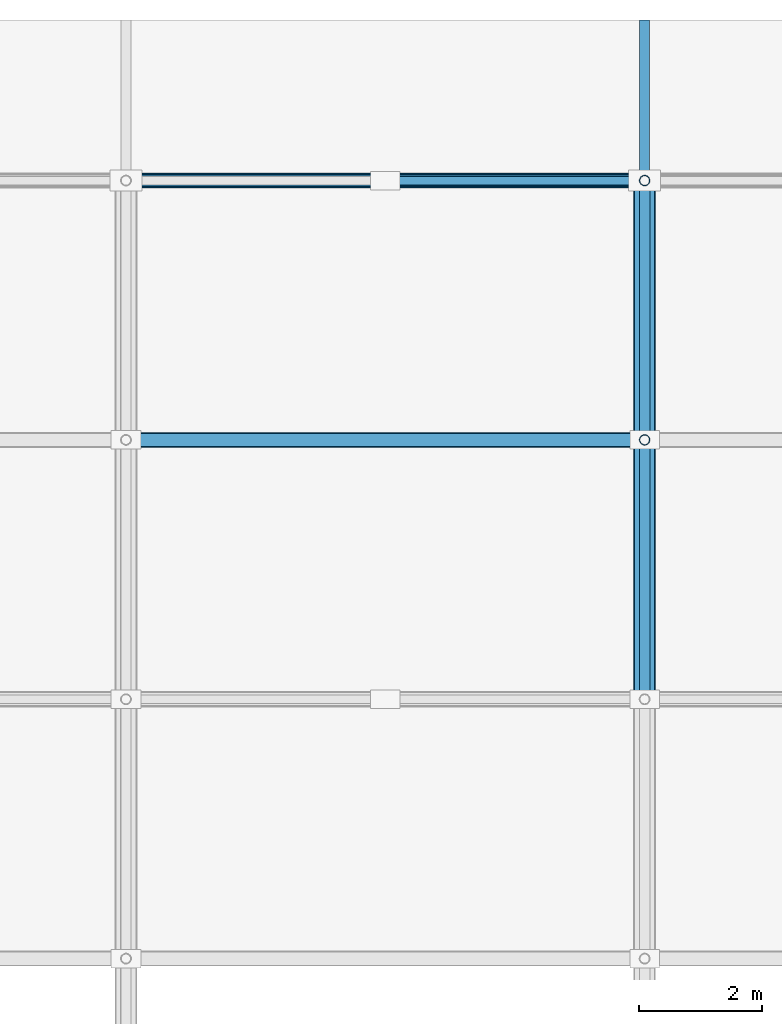
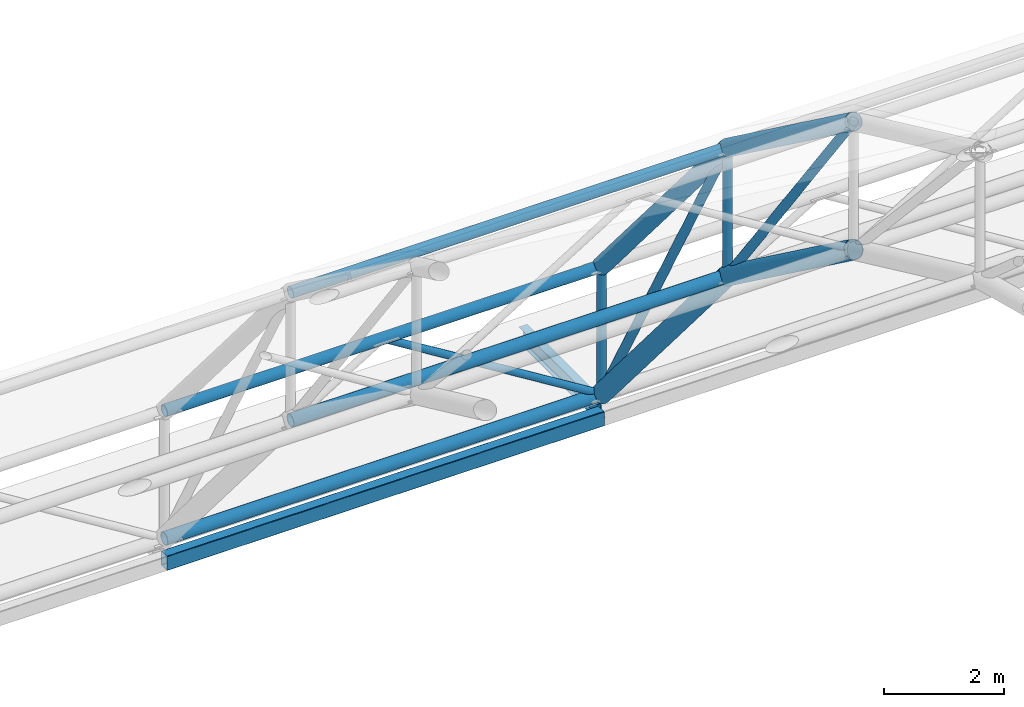
# One storey, part 49 of 103: 9 members, 6 beams.
"""IFC4 building model written with IfcOpenShell, lengths in metres."""

from ifc_helpers import new_model, si_unit, direction, frame, origin, origin_2d, place, context, subcontext, project, spatial, hollow_rectangle, hollow_circle, i_section, extrude, material, material_profile, profile_set, type_object, element, save


model = new_model("IFC4")

# Units and contexts
model_context = context("Model", 3, precision=1e-05, world=origin(), true_north=direction((0.0, 1.0)))
body_context = subcontext(model_context, "Body", "Model", "MODEL_VIEW")
ifc_project = project(units=[si_unit("LENGTHUNIT", "METRE"), si_unit("AREAUNIT", "SQUARE_METRE"), si_unit("VOLUMEUNIT", "CUBIC_METRE"), si_unit("PLANEANGLEUNIT", "RADIAN"), si_unit("MASSUNIT", "GRAM", prefix="KILO")], contexts=[model_context])

# Site, building, storey
site_placement = place(None, origin())
site = spatial("IfcSite", under=ifc_project, at=site_placement, CompositionType="ELEMENT")
building_placement = place(site_placement, origin())
building = spatial("IfcBuilding", under=site, at=building_placement, Name="Varnapada Polytechnic", CompositionType="ELEMENT")
storey_placement = place(building_placement, frame((0.0, 0.0, 18.0)))
storey = spatial("IfcBuildingStorey", under=building, at=storey_placement, Name="L04", CompositionType="ELEMENT", Elevation=18.0)

# Beam
ifc_material = material(Name="Steel S355", Category="steel")
ifc_material_profile_1 = material_profile(ifc_material, i_section(OverallWidth=0.159912109375, OverallDepth=0.330078125, WebThickness=0.007568359375, FlangeThickness=0.011474609375, FilletRadius=0.01806640625, at=origin_2d()), Name="IPE 330")
ifc_profile_set_1 = profile_set([ifc_material_profile_1], Name="Steel S355")
beam_type_1 = type_object("IfcBeamType", Name="Clerestory monitor steel rafter SB-07 (IPE 330)", PredefinedType="BEAM", material=ifc_profile_set_1)
beam_1_placement = place(storey_placement, frame((109.199951171875, 126.0, -0.35009765625), z_axis=(0.0, 1.0, 0.0), x_axis=(-1.0, 0.0, 0.0)))
element("IfcBeam", 1, at=beam_1_placement, inside=storey, type_object=beam_type_1, Name="Workshop eave shade outlooker N.8", PredefinedType="BEAM", context=body_context, shape_type="SweptSolid", body=[
    extrude(i_section(OverallWidth=0.159912109375, OverallDepth=0.330078125, WebThickness=0.007568359375, FlangeThickness=0.011474609375, FilletRadius=0.01806640625, at=origin_2d()), origin(), (0.0, 0.0, 1.0), 2.60009765625),
])

# Members
ifc_material_profile_2 = material_profile(ifc_material, hollow_circle(Radius=0.122314453125, WallThickness=0.008056640625, at=origin_2d()), Name="CHS 244.5x8.0")
ifc_profile_set_2 = profile_set([ifc_material_profile_2], Name="Steel S355")
member_type_1 = type_object("IfcMemberType", Name="Vaulted space frame longitudinal bottom chord SFC-01 (CHS 244.5x8.0)", PredefinedType="CHORD", material=ifc_profile_set_2)
for number, where, z_axis, x_axis, name in (
    (2, (100.800048828125, 121.800048828125, 4.94921875), (1.0, 0.0, 0.0), (0.0, 1.0, 0.0), "Vaulted space frame longitudinal bottom chord 7.10"),
    (3, (100.800048828125, 126.0, 0.0), (1.0, 0.0, 0.0), (0.0, 1.0, 0.0), "Vaulted space frame longitudinal bottom chord 7.11"),
):
    element("IfcMember", number, at=place(storey_placement, frame(where, z_axis=z_axis, x_axis=x_axis)), inside=storey, type_object=member_type_1, Name=name, PredefinedType="CHORD", context=body_context, shape_type="SweptSolid", body=[
        extrude(hollow_circle(Radius=0.122314453125, WallThickness=0.008056640625, at=origin_2d()), origin(), (0.0, 0.0, 1.0), 8.39990234375),
    ])
ifc_material_profile_3 = material_profile(ifc_material, hollow_circle(Radius=0.109619140625, WallThickness=0.008056640625, at=origin_2d()), Name="CHS 219.1x8.0")
ifc_profile_set_3 = profile_set([ifc_material_profile_3], Name="Steel S355")
member_type_2 = type_object("IfcMemberType", Name="Vaulted space frame longitudinal top chord SFC-02 (CHS 219.1x8.0)", PredefinedType="CHORD", material=ifc_profile_set_3)
for number, where, z_axis, x_axis, name in (
    (4, (100.800048828125, 121.800048828125, 7.549072265625), (1.0, 0.0, 0.0), (0.0, 1.0, 0.0), "Vaulted space frame longitudinal top chord 7.10"),
    (5, (100.800048828125, 126.0, 2.60009765625), (1.0, 0.0, 0.0), (0.0, 1.0, 0.0), "Vaulted space frame longitudinal top chord 7.11"),
):
    element("IfcMember", number, at=place(storey_placement, frame(where, z_axis=z_axis, x_axis=x_axis)), inside=storey, type_object=member_type_2, Name=name, PredefinedType="CHORD", context=body_context, shape_type="SweptSolid", body=[
        extrude(hollow_circle(Radius=0.109619140625, WallThickness=0.008056640625, at=origin_2d()), origin(), (0.0, 0.0, 1.0), 8.39990234375),
    ])

# Beams
ifc_material_profile_4 = material_profile(ifc_material, hollow_circle(Radius=0.177734375, WallThickness=0.012451171875, at=origin_2d()), Name="CHS 355.6x12.5")
ifc_profile_set_4 = profile_set([ifc_material_profile_4], Name="Steel S355")
beam_type_2 = type_object("IfcBeamType", Name="Vaulted space frame primary arch rib VA-01 (CHS 355.6x12.5)", PredefinedType="BEAM", material=ifc_profile_set_4)
beam_2_placement = place(storey_placement, frame((109.199951171875, 117.60009765625, 8.02783203125), z_axis=(0.0, 0.806528689778, -0.591194953095), x_axis=(-1.0, 0.0, 0.0)))
element("IfcBeam", 6, at=beam_2_placement, inside=storey, type_object=beam_type_2, Name="Vaulted space frame bottom arch chord 8.9", PredefinedType="BEAM", context=body_context, shape_type="SweptSolid", body=[
    extrude(hollow_circle(Radius=0.177734375, WallThickness=0.012451171875, at=origin_2d()), origin(), (0.0, 0.0, 1.0), 5.20751953125),
])
beam_3_placement = place(storey_placement, frame((109.199951171875, 121.800048828125, 4.94921875), z_axis=(0.0, 0.647032448214, -0.762462465279), x_axis=(-1.0, 0.0, 0.0)))
element("IfcBeam", 7, at=beam_3_placement, inside=storey, type_object=beam_type_2, Name="Vaulted space frame bottom arch chord 8.10", PredefinedType="BEAM", context=body_context, shape_type="SweptSolid", body=[
    extrude(hollow_circle(Radius=0.177734375, WallThickness=0.012451171875, at=origin_2d()), origin(), (0.0, 0.0, 1.0), 6.4912109375),
])

# Members
ifc_material_profile_5 = material_profile(ifc_material, hollow_circle(Radius=0.084228515625, WallThickness=0.00634765625, at=origin_2d()), Name="CHS 168.3x6.3")
ifc_profile_set_5 = profile_set([ifc_material_profile_5], Name="Steel S355")
member_type_3 = type_object("IfcMemberType", Name="Vaulted space frame primary web diagonal SFB-01 (CHS 168.3x6.3)", PredefinedType="BRACE", material=ifc_profile_set_5)
member_1_placement = place(storey_placement, frame((109.199951171875, 117.60009765625, 10.6279296875), z_axis=(0.0, 0.594633036041, -0.803997234105), x_axis=(-1.0, 0.0, 0.0)))
element("IfcMember", 8, at=member_1_placement, inside=storey, type_object=member_type_3, Name="Vaulted space frame web diagonal 8.9", PredefinedType="BRACE", context=body_context, shape_type="SweptSolid", body=[
    extrude(hollow_circle(Radius=0.084228515625, WallThickness=0.00634765625, at=origin_2d()), origin(), (0.0, 0.0, 1.0), 7.06298828125),
])
member_2_placement = place(storey_placement, frame((109.199951171875, 121.800048828125, 7.549072265625), z_axis=(0.0, 0.486175535898, -0.873861172209), x_axis=(-1.0, 0.0, 0.0)))
element("IfcMember", 9, at=member_2_placement, inside=storey, type_object=member_type_3, Name="Vaulted space frame web diagonal 8.10", PredefinedType="BRACE", context=body_context, shape_type="SweptSolid", body=[
    extrude(hollow_circle(Radius=0.084228515625, WallThickness=0.00634765625, at=origin_2d()), origin(), (0.0, 0.0, 1.0), 8.638671875),
])
ifc_material_profile_6 = material_profile(ifc_material, hollow_circle(Radius=0.084228515625, WallThickness=0.00634765625, at=origin_2d()), Name="CHS 168.3x6.3")
ifc_profile_set_6 = profile_set([ifc_material_profile_6], Name="Steel S355")
member_type_4 = type_object("IfcMemberType", Name="Vaulted space frame radial web strut SFS-01 (CHS 168.3x6.3)", PredefinedType="STRUT", material=ifc_profile_set_6)
member_3_placement = place(storey_placement, frame((109.199951171875, 121.800048828125, 4.94921875), z_axis=(0.0, 0.0, 1.0), x_axis=(1.0, 0.0, 0.0)))
element("IfcMember", 10, at=member_3_placement, inside=storey, type_object=member_type_4, Name="Vaulted space frame strut 8.10", PredefinedType="STRUT", context=body_context, shape_type="SweptSolid", body=[
    extrude(hollow_circle(Radius=0.084228515625, WallThickness=0.00634765625, at=origin_2d()), origin(), (0.0, 0.0, 1.0), 2.599853515625),
])
member_4_placement = place(storey_placement, frame((109.199951171875, 126.0, 0.0), z_axis=(0.0, 0.0, 1.0), x_axis=(1.0, 0.0, 0.0)))
element("IfcMember", 11, at=member_4_placement, inside=storey, type_object=member_type_4, Name="Vaulted space frame strut 8.11", PredefinedType="STRUT", context=body_context, shape_type="SweptSolid", body=[
    extrude(hollow_circle(Radius=0.084228515625, WallThickness=0.00634765625, at=origin_2d()), origin(), (0.0, 0.0, 1.0), 2.60009765625),
])
ifc_material_profile_7 = material_profile(ifc_material, hollow_circle(Radius=0.06982421875, WallThickness=0.0048828125, at=origin_2d()), Name="CHS 139.7x5.0")
ifc_profile_set_7 = profile_set([ifc_material_profile_7], Name="Steel S355")
member_type_5 = type_object("IfcMemberType", Name="Vaulted space frame secondary web diagonal SFB-02 (CHS 139.7x5.0)", PredefinedType="BRACE", material=ifc_profile_set_7)
member_5_placement = place(storey_placement, frame((109.199951171875, 126.0, 0.0), z_axis=(-0.85025356003, 0.0, 0.526373331065), x_axis=(0.0, -1.0, 0.0)))
element("IfcMember", 12, at=member_5_placement, inside=storey, type_object=member_type_5, Name="Vaulted space frame longitudinal brace 7.11B", PredefinedType="BRACE", context=body_context, shape_type="SweptSolid", body=[
    extrude(hollow_circle(Radius=0.06982421875, WallThickness=0.0048828125, at=origin_2d()), origin(), (0.0, 0.0, 1.0), 4.939697265625),
])

# Beams
ifc_material_profile_8 = material_profile(ifc_material, hollow_circle(Radius=0.161865234375, WallThickness=0.010009765625, at=origin_2d()), Name="CHS 323.9x10.0")
ifc_profile_set_8 = profile_set([ifc_material_profile_8], Name="Steel S355")
beam_type_3 = type_object("IfcBeamType", Name="Vaulted space frame upper arch rib VA-02 (CHS 323.9x10.0)", PredefinedType="BEAM", material=ifc_profile_set_8)
beam_4_placement = place(storey_placement, frame((109.199951171875, 117.60009765625, 10.6279296875), z_axis=(0.0, 0.806506335259, -0.591225448698), x_axis=(-1.0, 0.0, 0.0)))
element("IfcBeam", 13, at=beam_4_placement, inside=storey, type_object=beam_type_3, Name="Vaulted space frame top arch chord 8.9", PredefinedType="BEAM", context=body_context, shape_type="SweptSolid", body=[
    extrude(hollow_circle(Radius=0.161865234375, WallThickness=0.010009765625, at=origin_2d()), origin(), (0.0, 0.0, 1.0), 5.20751953125),
])
beam_5_placement = place(storey_placement, frame((109.199951171875, 121.800048828125, 7.549072265625), z_axis=(0.0, 0.647051003787, -0.762446718465), x_axis=(-1.0, 0.0, 0.0)))
element("IfcBeam", 14, at=beam_5_placement, inside=storey, type_object=beam_type_3, Name="Vaulted space frame top arch chord 8.10", PredefinedType="BEAM", context=body_context, shape_type="SweptSolid", body=[
    extrude(hollow_circle(Radius=0.161865234375, WallThickness=0.010009765625, at=origin_2d()), origin(), (0.0, 0.0, 1.0), 6.490966796875),
])
ifc_material_profile_9 = material_profile(ifc_material, hollow_rectangle(XDim=0.199951171875, YDim=0.300048828125, WallThickness=0.010009765625, InnerFilletRadius=0.010009765625, OuterFilletRadius=0.02001953125, at=origin_2d()), Name="RHS 300x200x10")
ifc_profile_set_9 = profile_set([ifc_material_profile_9], Name="Steel S355")
beam_type_4 = type_object("IfcBeamType", Name="Workshop steel spandrel tie SP-03 (RHS 300x200x10)", PredefinedType="SPANDREL", material=ifc_profile_set_9)
beam_6_placement = place(storey_placement, frame((100.800048828125, 126.0, -0.449951171875), z_axis=(1.0, 0.0, 0.0), x_axis=(0.0, 1.0, 0.0)))
element("IfcBeam", 15, at=beam_6_placement, inside=storey, type_object=beam_type_4, Name="L04 workshop clerestory tie X13-14 Y16", PredefinedType="SPANDREL", context=body_context, shape_type="SweptSolid", body=[
    extrude(hollow_rectangle(XDim=0.199951171875, YDim=0.300048828125, WallThickness=0.010009765625, InnerFilletRadius=0.010009765625, OuterFilletRadius=0.02001953125, at=origin_2d()), origin(), (0.0, 0.0, 1.0), 8.39990234375),
])

save(model, "model.ifc")
